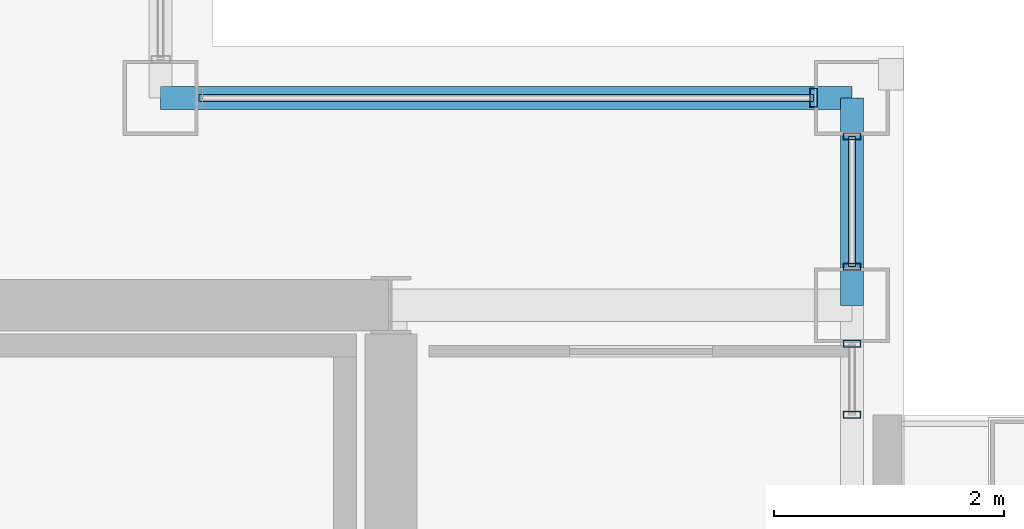
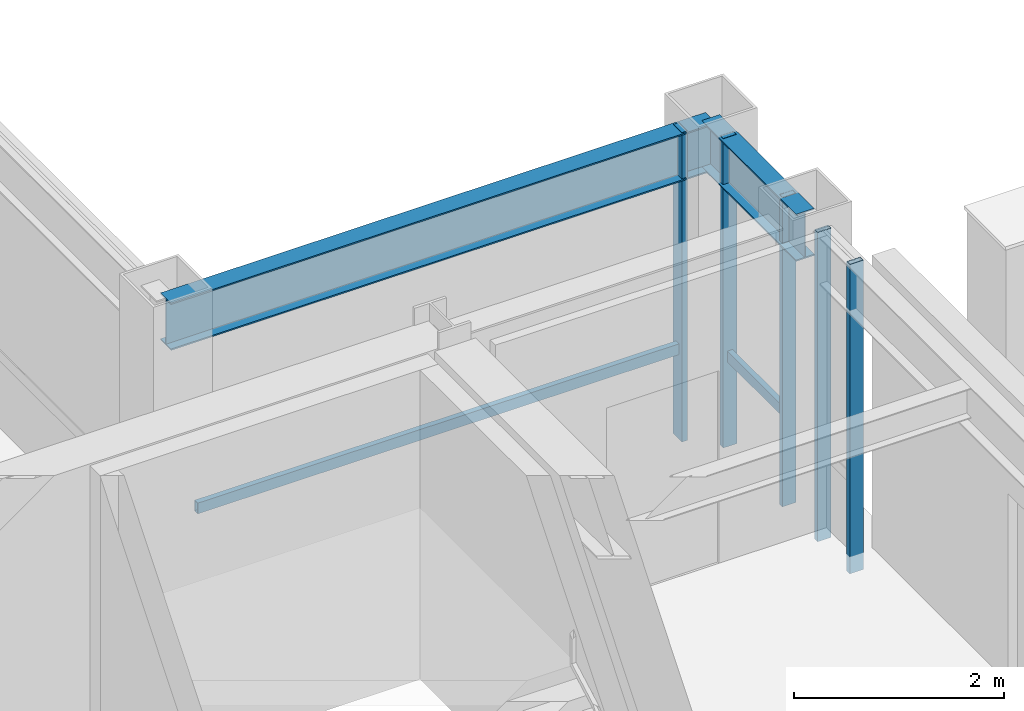
# One storey, part 13 of 23: 7 members, 2 beams, 3 elements without a shape of their own.
"""IFC4 building model written with IfcOpenShell, lengths in metres."""

from ifc_helpers import new_model, si_unit, direction, frame, origin, origin_2d, place, context, subcontext, project, spatial, hollow_rectangle, i_section, extrude, material, layer, layer_set, material_profile, profile_set, type_object, element, aggregate, save


model = new_model("IFC4")

# Units and contexts
model_context = context("Model", 3, precision=1e-05, world=origin(), true_north=direction((0.0, 1.0)))
body_context = subcontext(model_context, "Body", "Model", "MODEL_VIEW")
ifc_project = project(units=[si_unit("LENGTHUNIT", "METRE"), si_unit("AREAUNIT", "SQUARE_METRE"), si_unit("VOLUMEUNIT", "CUBIC_METRE"), si_unit("PLANEANGLEUNIT", "RADIAN"), si_unit("MASSUNIT", "GRAM", prefix="KILO")], contexts=[model_context])

# Site, building, storey
site_placement = place(None, origin())
site = spatial("IfcSite", under=ifc_project, at=site_placement, CompositionType="ELEMENT")
building_placement = place(site_placement, origin())
building = spatial("IfcBuilding", under=site, at=building_placement, Name="Brelmoor Portico Tower", CompositionType="ELEMENT")
storey_placement = place(building_placement, frame((0.0, 0.0, 222.0)))
storey = spatial("IfcBuildingStorey", under=building, at=storey_placement, Name="L58", CompositionType="ELEMENT", Elevation=222.0)

# Beams
ifc_material_1 = material(Name="Steel Q355B", Category="steel")
ifc_material_profile_1 = material_profile(ifc_material_1, i_section(OverallWidth=0.199951171875, OverallDepth=0.550048828125, WebThickness=0.010009765625, FlangeThickness=0.01611328125, at=origin_2d()), Name="HN 550x200x10x16")
ifc_profile_set_1 = profile_set([ifc_material_profile_1], Name="Steel Q355B")
beam_type = type_object("IfcBeamType", Name="BM-SP-550", PredefinedType="SPANDREL", material=ifc_profile_set_1)
beam_1_placement = place(storey_placement, frame((12.550048828125, 11.550048828125, 3.125), z_axis=(1.0, 0.0, 0.0), x_axis=(0.0, 1.0, 0.0)))
element("IfcBeam", 1, at=beam_1_placement, inside=storey, type_object=beam_type, Name="L58 Perimeter Spandrel Beam SP-07", PredefinedType="SPANDREL", context=body_context, shape_type="SweptSolid", body=[
    extrude(i_section(OverallWidth=0.199951171875, OverallDepth=0.550048828125, WebThickness=0.010009765625, FlangeThickness=0.01611328125, at=origin_2d()), origin(), (0.0, 0.0, 1.0), 6.0),
])
beam_2_placement = place(storey_placement, frame((18.550048828125, 9.75, 3.125), z_axis=(0.0, 1.0, 0.0), x_axis=(-1.0, 0.0, 0.0)))
element("IfcBeam", 2, at=beam_2_placement, inside=storey, type_object=beam_type, Name="L58 Perimeter Spandrel Beam SP-20", PredefinedType="SPANDREL", context=body_context, shape_type="SweptSolid", body=[
    extrude(i_section(OverallWidth=0.199951171875, OverallDepth=0.550048828125, WebThickness=0.010009765625, FlangeThickness=0.01611328125, at=origin_2d()), origin(), (0.0, 0.0, 1.0), 1.800048828125),
])

# Curtain wall, members
ifc_material_2 = material(Name="Anodised Aluminium Alloy 6063-T6", Category="aluminium")
ifc_layer_1 = layer(ifc_material_2, 0.179931640625)
ifc_layer_set_1 = layer_set([ifc_layer_1], Name="Anodised Aluminium Alloy 6063-T6")
curtain_wall_type_1 = type_object("IfcCurtainWallType", Name="CW-TOWER-Z4", PredefinedType="NOTDEFINED", material=ifc_layer_set_1)
curtain_wall_1_placement = place(storey_placement, origin())
curtain_wall_1 = element("IfcCurtainWall", 3, at=curtain_wall_1_placement, inside=storey, type_object=curtain_wall_type_1, Name="L58 Curtain Wall CW-L58-4R-1", PredefinedType="NOTDEFINED")
ifc_material_profile_2 = material_profile(ifc_material_2, hollow_rectangle(XDim=0.06005859375, YDim=0.14990234375, WallThickness=0.00390625, at=origin_2d()), Name="ALU MULLION 60x150")
ifc_profile_set_2 = profile_set([ifc_material_profile_2], Name="Anodised Aluminium Alloy 6063-T6")
member_type_1 = type_object("IfcMemberType", Name="MB-CW-MULL-150", PredefinedType="MULLION", material=ifc_profile_set_2)
member_1_placement = place(storey_placement, frame((18.550048828125, 8.800048828125, -0.199951171875), z_axis=(0.0, 0.0, 1.0), x_axis=(0.0, 1.0, 0.0)))
member_1 = element("IfcMember", 4, at=member_1_placement, type_object=member_type_1, Name="CW-L58-4R-1 Mullion 00", PredefinedType="MULLION", context=body_context, shape_type="SweptSolid", body=[
    extrude(hollow_rectangle(XDim=0.06005859375, YDim=0.14990234375, WallThickness=0.00390625, at=origin_2d()), origin(), (0.0, 0.0, 1.0), 3.599853515625),
])
member_2_placement = place(storey_placement, frame((18.550048828125, 9.4150390625, -0.199951171875), z_axis=(0.0, 0.0, 1.0), x_axis=(0.0, 1.0, 0.0)))
member_2 = element("IfcMember", 5, at=member_2_placement, type_object=member_type_1, Name="CW-L58-4R-1 Mullion 01", PredefinedType="MULLION", context=body_context, shape_type="SweptSolid", body=[
    extrude(hollow_rectangle(XDim=0.06005859375, YDim=0.14990234375, WallThickness=0.00390625, at=origin_2d()), origin(), (0.0, 0.0, 1.0), 3.599853515625),
])
aggregate(curtain_wall_1, [member_1, member_2])

curtain_wall_2_placement = place(storey_placement, origin())
curtain_wall_2 = element("IfcCurtainWall", 6, at=curtain_wall_2_placement, inside=storey, type_object=curtain_wall_type_1, Name="L58 Curtain Wall CW-L58-4R-2", PredefinedType="NOTDEFINED")
member_3_placement = place(storey_placement, frame((18.550048828125, 10.0849609375, -0.199951171875), z_axis=(0.0, 0.0, 1.0), x_axis=(0.0, 1.0, 0.0)))
member_3 = element("IfcMember", 7, at=member_3_placement, type_object=member_type_1, Name="CW-L58-4R-2 Mullion 00", PredefinedType="MULLION", context=body_context, shape_type="SweptSolid", body=[
    extrude(hollow_rectangle(XDim=0.06005859375, YDim=0.14990234375, WallThickness=0.00390625, at=origin_2d()), origin(), (0.0, 0.0, 1.0), 3.599853515625),
])
member_4_placement = place(storey_placement, frame((18.550048828125, 11.215087890625, -0.199951171875), z_axis=(0.0, 0.0, 1.0), x_axis=(0.0, 1.0, 0.0)))
member_4 = element("IfcMember", 8, at=member_4_placement, type_object=member_type_1, Name="CW-L58-4R-2 Mullion 01", PredefinedType="MULLION", context=body_context, shape_type="SweptSolid", body=[
    extrude(hollow_rectangle(XDim=0.06005859375, YDim=0.14990234375, WallThickness=0.00390625, at=origin_2d()), origin(), (0.0, 0.0, 1.0), 3.599853515625),
])

# Curtain wall, member
ifc_layer_2 = layer(ifc_material_2, 0.179931640625)
ifc_layer_set_2 = layer_set([ifc_layer_2], Name="Anodised Aluminium Alloy 6063-T6")
curtain_wall_type_2 = type_object("IfcCurtainWallType", Name="CW-NOTCH-CHAMFER", PredefinedType="NOTDEFINED", material=ifc_layer_set_2)
curtain_wall_3_placement = place(storey_placement, origin())
curtain_wall_3 = element("IfcCurtainWall", 9, at=curtain_wall_3_placement, inside=storey, type_object=curtain_wall_type_2, Name="L58 Curtain Wall CWN-L58-NEH", PredefinedType="NOTDEFINED")
ifc_material_profile_3 = material_profile(ifc_material_2, hollow_rectangle(XDim=0.06494140625, YDim=0.1650390625, WallThickness=0.00390625, at=origin_2d()), Name="ALU MULLION 65x165")
ifc_profile_set_3 = profile_set([ifc_material_profile_3], Name="Anodised Aluminium Alloy 6063-T6")
member_type_2 = type_object("IfcMemberType", Name="MB-CW-MULL-165", PredefinedType="MULLION", material=ifc_profile_set_3)
member_5_placement = place(storey_placement, frame((18.215087890625, 11.550048828125, -0.199951171875), z_axis=(0.0, 0.0, 1.0), x_axis=(1.0, 0.0, 0.0)))
member_5 = element("IfcMember", 10, at=member_5_placement, type_object=member_type_2, Name="CWN-L58-NEH Mullion 01", PredefinedType="MULLION", context=body_context, shape_type="SweptSolid", body=[
    extrude(hollow_rectangle(XDim=0.06494140625, YDim=0.1650390625, WallThickness=0.00390625, at=origin_2d()), origin(), (0.0, 0.0, 1.0), 3.599853515625),
])

# Member
ifc_material_profile_4 = material_profile(ifc_material_2, hollow_rectangle(XDim=0.06005859375, YDim=0.125, WallThickness=0.00341796875, at=origin_2d()), Name="ALU TRANSOM 60x125")
ifc_profile_set_4 = profile_set([ifc_material_profile_4], Name="Anodised Aluminium Alloy 6063-T6")
member_type_3 = type_object("IfcMemberType", Name="MB-CW-TRAN-125", PredefinedType="USERDEFINED", material=ifc_profile_set_4)
member_6_placement = place(storey_placement, frame((18.550048828125, 10.0849609375, 0.85009765625), z_axis=(0.0, 1.0, 0.0), x_axis=(-1.0, 0.0, 0.0)))
member_6 = element("IfcMember", 11, at=member_6_placement, type_object=member_type_3, Name="CW-L58-4R-2 Transom 1-00", ObjectType="TRANSOM", PredefinedType="USERDEFINED", context=body_context, shape_type="SweptSolid", body=[
    extrude(hollow_rectangle(XDim=0.06005859375, YDim=0.125, WallThickness=0.00341796875, at=origin_2d()), origin(), (0.0, 0.0, 1.0), 1.130126953125),
])

aggregate(curtain_wall_2, [member_3, member_4, member_6])

member_7_placement = place(storey_placement, frame((12.885009765625, 11.550048828125, 0.85009765625), z_axis=(1.0, 0.0, 0.0), x_axis=(0.0, 1.0, 0.0)))
member_7 = element("IfcMember", 12, at=member_7_placement, type_object=member_type_3, Name="CWN-L58-NEH Transom 1-00", ObjectType="TRANSOM", PredefinedType="USERDEFINED", context=body_context, shape_type="SweptSolid", body=[
    extrude(hollow_rectangle(XDim=0.06005859375, YDim=0.125, WallThickness=0.00341796875, at=origin_2d()), origin(), (0.0, 0.0, 1.0), 5.330078125),
])

aggregate(curtain_wall_3, [member_5, member_7])

save(model, "model.ifc")
